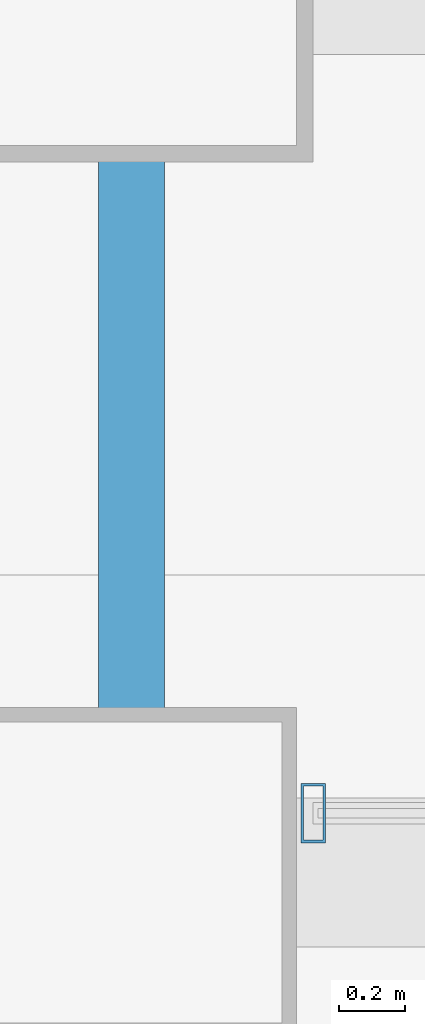
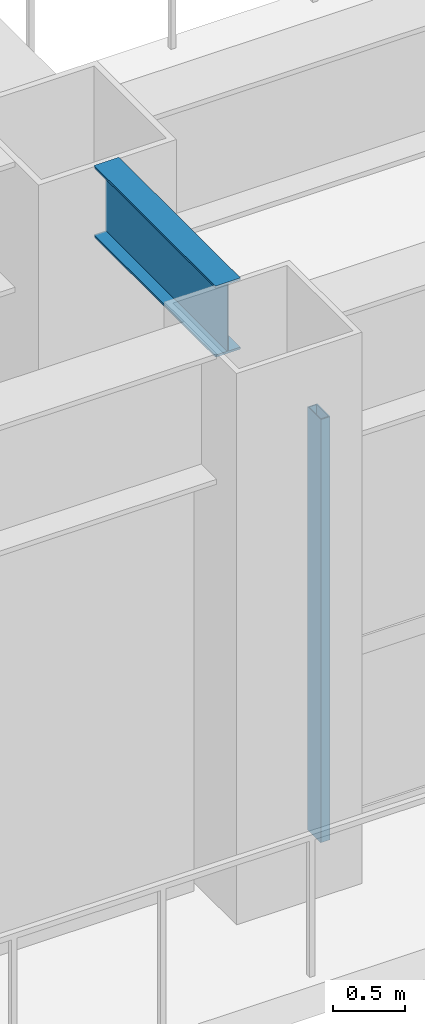
# One storey, part 2 of 14: 1 beam, 1 member, 1 element without a shape of its own.
"""IFC4 building model written with IfcOpenShell, lengths in metres."""

from ifc_helpers import new_model, si_unit, direction, frame, origin, origin_2d, place, context, subcontext, project, spatial, hollow_rectangle, i_section, extrude, source, transform, mapped, material, layer, layer_set, material_profile, profile_set, type_object, element, aggregate, save


model = new_model("IFC4")

# Units and contexts
model_context = context("Model", 3, precision=1e-05, world=origin(), true_north=direction((0.0, 1.0)))
body_context = subcontext(model_context, "Body", "Model", "MODEL_VIEW")
ifc_project = project(units=[si_unit("LENGTHUNIT", "METRE"), si_unit("AREAUNIT", "SQUARE_METRE"), si_unit("VOLUMEUNIT", "CUBIC_METRE"), si_unit("PLANEANGLEUNIT", "RADIAN"), si_unit("MASSUNIT", "GRAM", prefix="KILO")], contexts=[model_context])

# Site, building, storey
site_placement = place(None, origin())
site = spatial("IfcSite", under=ifc_project, at=site_placement, CompositionType="ELEMENT")
building_placement = place(site_placement, origin())
building = spatial("IfcBuilding", under=site, at=building_placement, Name="Giltprow Tower", CompositionType="ELEMENT")
storey_placement = place(building_placement, frame((0.0, 0.0, 15.199951171875)))
storey = spatial("IfcBuildingStorey", under=building, at=storey_placement, Name="L04", CompositionType="ELEMENT", Elevation=15.199951171875)

# Beam
ifc_material_1 = material(Name="Structural steel Q355B", Category="steel")
ifc_material_profile_1 = material_profile(ifc_material_1, i_section(OverallWidth=0.199951171875, OverallDepth=0.60009765625, WebThickness=0.010986328125, FlangeThickness=0.01708984375, at=origin_2d()), Name="HN 600x200x11x17")
ifc_profile_set_1 = profile_set([ifc_material_profile_1], Name="Structural steel Q355B")
beam_type = type_object("IfcBeamType", Name="BM-GIRD-HN600", PredefinedType="BEAM", material=ifc_profile_set_1)
shared_shape_1 = source(origin(), body_context, "Body", "SweptSolid", [
    extrude(i_section(OverallWidth=0.199951171875, OverallDepth=0.60009765625, WebThickness=0.010986328125, FlangeThickness=0.01708984375, at=origin_2d()), origin(), (0.0, 0.0, 1.0), 1.679931640625),
])
beam_placement = place(storey_placement, frame((30.800048828125, 1.0849609375, 4.35009765625), z_axis=(0.0, 1.0, 0.0), x_axis=(-1.0, 0.0, 0.0)))
element("IfcBeam", 1, at=beam_placement, inside=storey, type_object=beam_type, Name="L04 South Perimeter Tie S2", PredefinedType="BEAM", context=body_context, shape_type="MappedRepresentation", body=[
    mapped(shared_shape_1, transform((0.0, 0.0, 0.0), x_axis=(1.0, 0.0, 0.0), y_axis=(0.0, 1.0, 0.0), z_axis=(0.0, 0.0, 1.0), scale=1.0)),
])

# Curtain wall, member
ifc_material_2 = material(Name="Anodized bronze", Category="metal")
ifc_layer = layer(ifc_material_2, 0.179931640625, Name="Anodized bronze")
ifc_layer_set = layer_set([ifc_layer], Name="Anodized bronze")
curtain_wall_type = type_object("IfcCurtainWallType", Name="CW-POD-STOREFRONT", PredefinedType="NOTDEFINED", material=ifc_layer_set)
curtain_wall_placement = place(storey_placement, origin())
curtain_wall = element("IfcCurtainWall", 2, at=curtain_wall_placement, inside=storey, type_object=curtain_wall_type, Name="L04 South Waterfront Storefront 3", PredefinedType="NOTDEFINED")
ifc_material_profile_2 = material_profile(ifc_material_2, hollow_rectangle(XDim=0.074951171875, YDim=0.179931640625, WallThickness=0.008056640625, at=origin_2d()), Name="RHS 180x75x8")
ifc_profile_set_2 = profile_set([ifc_material_profile_2], Name="Anodized bronze")
member_type = type_object("IfcMemberType", Name="CW-MULLION-180x75", PredefinedType="MULLION", material=ifc_profile_set_2)
shared_shape_2 = source(origin(), body_context, "Body", "SweptSolid", [
    extrude(hollow_rectangle(XDim=0.074951171875, YDim=0.179931640625, WallThickness=0.008056640625, at=origin_2d()), origin(), (0.0, 0.0, 1.0), 3.570068359375),
])
member_placement = place(storey_placement, frame((31.35009765625, 0.780029296875, -0.02001953125), z_axis=(0.0, 0.0, 1.0), x_axis=(1.0, 0.0, 0.0)))
member = element("IfcMember", 3, at=member_placement, type_object=member_type, Name="L04 South Waterfront Storefront 3 Mullion 1", PredefinedType="MULLION", context=body_context, shape_type="MappedRepresentation", body=[
    mapped(shared_shape_2, transform((0.0, 0.0, 0.0), x_axis=(1.0, 0.0, 0.0), y_axis=(0.0, 1.0, 0.0), z_axis=(0.0, 0.0, 1.0), scale=1.0)),
])
aggregate(curtain_wall, [member])

save(model, "model.ifc")
